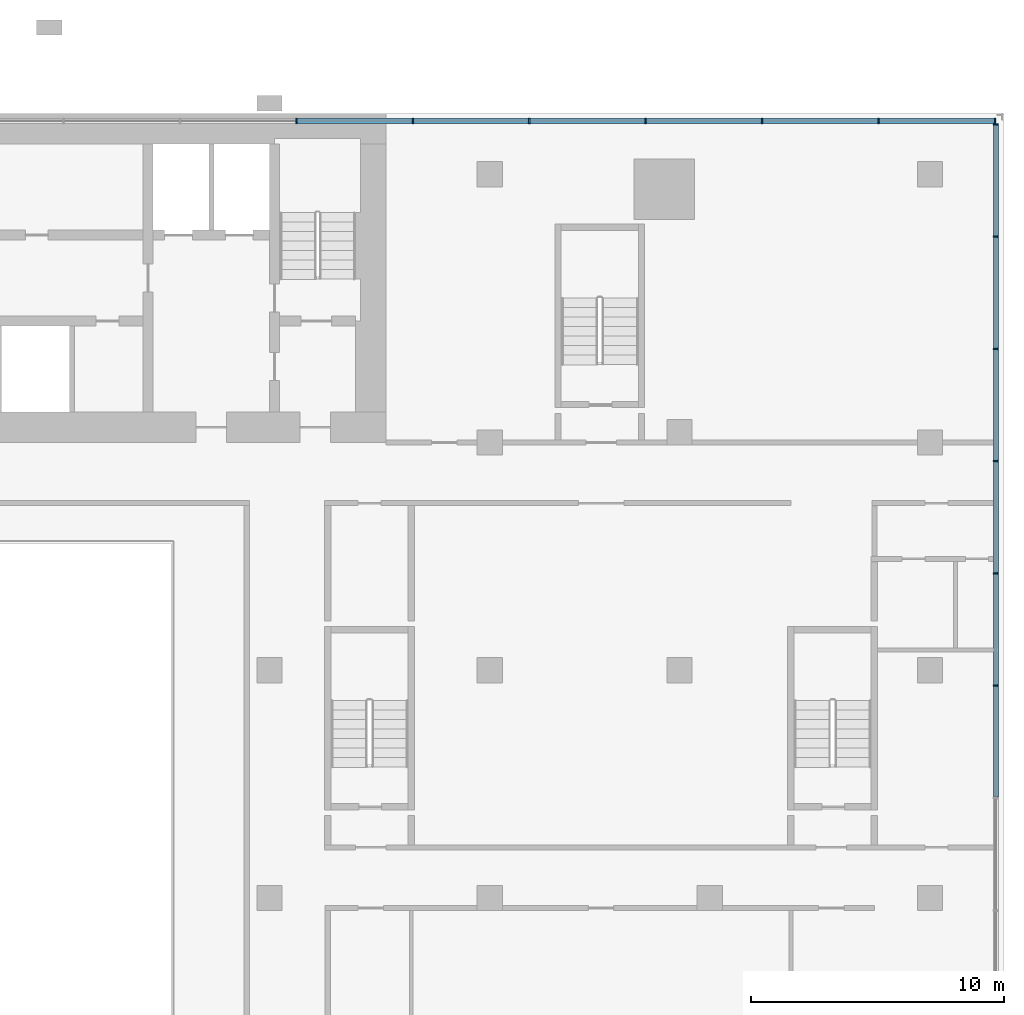
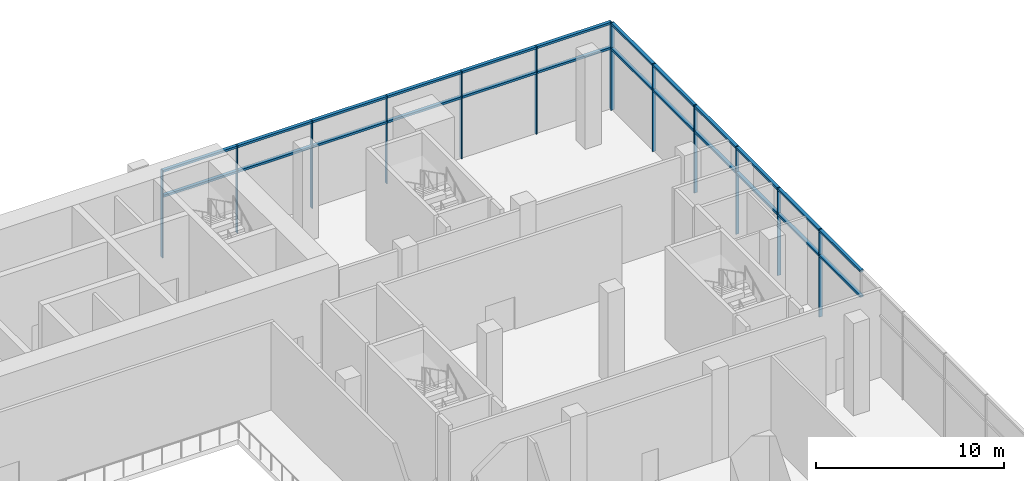
# One storey, part 8 of 22: 37 members, 2 elements without a shape of their own.
"""IFC4 building model written with IfcOpenShell, lengths in metres."""

from ifc_helpers import new_model, si_unit, direction, frame, origin, origin_2d, place, context, subcontext, project, spatial, rectangle, extrude, material, material_profile, profile_set, type_object, element, aggregate, save


model = new_model("IFC4")

# Units and contexts
model_context = context("Model", 3, precision=1e-05, world=origin(), true_north=direction((0.0, 1.0)))
body_context = subcontext(model_context, "Body", "Model", "MODEL_VIEW")
ifc_project = project(units=[si_unit("LENGTHUNIT", "METRE"), si_unit("AREAUNIT", "SQUARE_METRE"), si_unit("VOLUMEUNIT", "CUBIC_METRE"), si_unit("PLANEANGLEUNIT", "RADIAN"), si_unit("MASSUNIT", "GRAM", prefix="KILO")], contexts=[model_context])

# Site, building, storey
site_placement = place(None, origin())
site = spatial("IfcSite", under=ifc_project, at=site_placement, CompositionType="ELEMENT")
building_placement = place(site_placement, origin())
building = spatial("IfcBuilding", under=site, at=building_placement, Name="Bicima Exchange Tower", CompositionType="ELEMENT")
storey_placement = place(building_placement, frame((0.0, 0.0, 14.0)))
storey = spatial("IfcBuildingStorey", under=building, at=storey_placement, Name="L02", CompositionType="ELEMENT", Elevation=14.0)

# Curtain wall, members
ifc_material = material(Name="Anodised bronze aluminium", Category="aluminium")
curtain_wall_type = type_object("IfcCurtainWallType", Name="Lobby glazing", PredefinedType="NOTDEFINED", material=ifc_material)
curtain_wall_1_placement = place(storey_placement, origin())
curtain_wall_1 = element("IfcCurtainWall", 1, at=curtain_wall_1_placement, inside=storey, type_object=curtain_wall_type, Name="Podium glazing L02 east 1", PredefinedType="NOTDEFINED")
ifc_material_profile_1 = material_profile(ifc_material, rectangle(XDim=0.199951171875, YDim=0.06005859375, at=origin_2d()))
ifc_profile_set_1 = profile_set([ifc_material_profile_1], Name="Anodised bronze aluminium")
member_type_1 = type_object("IfcMemberType", Name="Lobby glazing mullion 60 x 200", PredefinedType="MULLION", material=ifc_profile_set_1)
member_1_placement = place(storey_placement, frame((46.10009765625, -22.61328125, 0.0), z_axis=(0.0, 0.0, 1.0), x_axis=(-1.0, 0.0, 0.0)))
member_1 = element("IfcMember", 2, at=member_1_placement, type_object=member_type_1, Name="Lobby glazing mullion 8", PredefinedType="MULLION", context=body_context, shape_type="SweptSolid", body=[
    extrude(rectangle(XDim=0.199951171875, YDim=0.06005859375, at=origin_2d()), origin(), (0.0, 0.0, 1.0), 5.699951171875),
])
member_2_placement = place(storey_placement, frame((46.10009765625, -18.1767578125, 0.0), z_axis=(0.0, 0.0, 1.0), x_axis=(-1.0, 0.0, 0.0)))
member_2 = element("IfcMember", 3, at=member_2_placement, type_object=member_type_1, Name="Lobby glazing mullion 9", PredefinedType="MULLION", context=body_context, shape_type="SweptSolid", body=[
    extrude(rectangle(XDim=0.199951171875, YDim=0.06005859375, at=origin_2d()), origin(), (0.0, 0.0, 1.0), 5.699951171875),
])
member_3_placement = place(storey_placement, frame((46.10009765625, -13.739990234375, 0.0), z_axis=(0.0, 0.0, 1.0), x_axis=(-1.0, 0.0, 0.0)))
member_3 = element("IfcMember", 4, at=member_3_placement, type_object=member_type_1, Name="Lobby glazing mullion 10", PredefinedType="MULLION", context=body_context, shape_type="SweptSolid", body=[
    extrude(rectangle(XDim=0.199951171875, YDim=0.06005859375, at=origin_2d()), origin(), (0.0, 0.0, 1.0), 5.699951171875),
])
member_4_placement = place(storey_placement, frame((46.10009765625, -9.30322265625, 0.0), z_axis=(0.0, 0.0, 1.0), x_axis=(-1.0, 0.0, 0.0)))
member_4 = element("IfcMember", 5, at=member_4_placement, type_object=member_type_1, Name="Lobby glazing mullion 11", PredefinedType="MULLION", context=body_context, shape_type="SweptSolid", body=[
    extrude(rectangle(XDim=0.199951171875, YDim=0.06005859375, at=origin_2d()), origin(), (0.0, 0.0, 1.0), 5.699951171875),
])
member_5_placement = place(storey_placement, frame((46.10009765625, -4.86669921875, 0.0), z_axis=(0.0, 0.0, 1.0), x_axis=(-1.0, 0.0, 0.0)))
member_5 = element("IfcMember", 6, at=member_5_placement, type_object=member_type_1, Name="Lobby glazing mullion 12", PredefinedType="MULLION", context=body_context, shape_type="SweptSolid", body=[
    extrude(rectangle(XDim=0.199951171875, YDim=0.06005859375, at=origin_2d()), origin(), (0.0, 0.0, 1.0), 5.699951171875),
])
member_6_placement = place(storey_placement, frame((46.10009765625, -0.429931640625, 0.0), z_axis=(0.0, 0.0, 1.0), x_axis=(-1.0, 0.0, 0.0)))
member_6 = element("IfcMember", 7, at=member_6_placement, type_object=member_type_1, Name="Lobby glazing mullion 13", PredefinedType="MULLION", context=body_context, shape_type="SweptSolid", body=[
    extrude(rectangle(XDim=0.199951171875, YDim=0.06005859375, at=origin_2d()), origin(), (0.0, 0.0, 1.0), 5.699951171875),
])

curtain_wall_2_placement = place(storey_placement, origin())
curtain_wall_2 = element("IfcCurtainWall", 8, at=curtain_wall_2_placement, inside=storey, type_object=curtain_wall_type, Name="Podium glazing L02 north 1", PredefinedType="NOTDEFINED")
member_7_placement = place(storey_placement, frame((46.070068359375, -0.300048828125, 0.0), z_axis=(0.0, 0.0, 1.0), x_axis=(0.0, -1.0, 0.0)))
member_7 = element("IfcMember", 9, at=member_7_placement, type_object=member_type_1, Name="Lobby glazing mullion 1", PredefinedType="MULLION", context=body_context, shape_type="SweptSolid", body=[
    extrude(rectangle(XDim=0.199951171875, YDim=0.06005859375, at=origin_2d()), origin(), (0.0, 0.0, 1.0), 5.699951171875),
])
member_8_placement = place(storey_placement, frame((41.468017578125, -0.300048828125, 0.0), z_axis=(0.0, 0.0, 1.0), x_axis=(0.0, -1.0, 0.0)))
member_8 = element("IfcMember", 10, at=member_8_placement, type_object=member_type_1, Name="Lobby glazing mullion 2", PredefinedType="MULLION", context=body_context, shape_type="SweptSolid", body=[
    extrude(rectangle(XDim=0.199951171875, YDim=0.06005859375, at=origin_2d()), origin(), (0.0, 0.0, 1.0), 5.699951171875),
])
member_9_placement = place(storey_placement, frame((36.865966796875, -0.300048828125, 0.0), z_axis=(0.0, 0.0, 1.0), x_axis=(0.0, -1.0, 0.0)))
member_9 = element("IfcMember", 11, at=member_9_placement, type_object=member_type_1, Name="Lobby glazing mullion 3", PredefinedType="MULLION", context=body_context, shape_type="SweptSolid", body=[
    extrude(rectangle(XDim=0.199951171875, YDim=0.06005859375, at=origin_2d()), origin(), (0.0, 0.0, 1.0), 5.699951171875),
])
member_10_placement = place(storey_placement, frame((32.263916015625, -0.300048828125, 0.0), z_axis=(0.0, 0.0, 1.0), x_axis=(0.0, -1.0, 0.0)))
member_10 = element("IfcMember", 12, at=member_10_placement, type_object=member_type_1, Name="Lobby glazing mullion 4", PredefinedType="MULLION", context=body_context, shape_type="SweptSolid", body=[
    extrude(rectangle(XDim=0.199951171875, YDim=0.06005859375, at=origin_2d()), origin(), (0.0, 0.0, 1.0), 5.699951171875),
])
member_11_placement = place(storey_placement, frame((27.662109375, -0.300048828125, 0.0), z_axis=(0.0, 0.0, 1.0), x_axis=(0.0, -1.0, 0.0)))
member_11 = element("IfcMember", 13, at=member_11_placement, type_object=member_type_1, Name="Lobby glazing mullion 5", PredefinedType="MULLION", context=body_context, shape_type="SweptSolid", body=[
    extrude(rectangle(XDim=0.199951171875, YDim=0.06005859375, at=origin_2d()), origin(), (0.0, 0.0, 1.0), 5.699951171875),
])
member_12_placement = place(storey_placement, frame((23.06005859375, -0.300048828125, 0.0), z_axis=(0.0, 0.0, 1.0), x_axis=(0.0, -1.0, 0.0)))
member_12 = element("IfcMember", 14, at=member_12_placement, type_object=member_type_1, Name="Lobby glazing mullion 6", PredefinedType="MULLION", context=body_context, shape_type="SweptSolid", body=[
    extrude(rectangle(XDim=0.199951171875, YDim=0.06005859375, at=origin_2d()), origin(), (0.0, 0.0, 1.0), 5.699951171875),
])
member_13_placement = place(storey_placement, frame((18.4580078125, -0.300048828125, 0.0), z_axis=(0.0, 0.0, 1.0), x_axis=(0.0, -1.0, 0.0)))
member_13 = element("IfcMember", 15, at=member_13_placement, type_object=member_type_1, Name="Lobby glazing mullion 7", PredefinedType="MULLION", context=body_context, shape_type="SweptSolid", body=[
    extrude(rectangle(XDim=0.199951171875, YDim=0.06005859375, at=origin_2d()), origin(), (0.0, 0.0, 1.0), 5.699951171875),
])

# Member
ifc_material_profile_2 = material_profile(ifc_material, rectangle(XDim=0.199951171875, YDim=0.139892578125, at=origin_2d()))
ifc_profile_set_2 = profile_set([ifc_material_profile_2], Name="Anodised bronze aluminium")
member_type_2 = type_object("IfcMemberType", Name="Lobby glazing transom 140 x 200", PredefinedType="USERDEFINED", material=ifc_profile_set_2)
member_14_placement = place(storey_placement, frame((46.10009765625, -27.02001953125, 4.0), z_axis=(0.0, 1.0, 0.0), x_axis=(-1.0, 0.0, 0.0)))
member_14 = element("IfcMember", 16, at=member_14_placement, type_object=member_type_2, Name="Lobby glazing transom 7.1", ObjectType="TRANSOM", PredefinedType="USERDEFINED", context=body_context, shape_type="SweptSolid", body=[
    extrude(rectangle(XDim=0.199951171875, YDim=0.139892578125, at=origin_2d()), origin(), (0.0, 0.0, 1.0), 4.376708984375),
])

member_15_placement = place(storey_placement, frame((46.10009765625, -27.02001953125, 5.6298828125), z_axis=(0.0, 1.0, 0.0), x_axis=(-1.0, 0.0, 0.0)))
member_15 = element("IfcMember", 17, at=member_15_placement, type_object=member_type_2, Name="Lobby glazing transom 7.2", ObjectType="TRANSOM", PredefinedType="USERDEFINED", context=body_context, shape_type="SweptSolid", body=[
    extrude(rectangle(XDim=0.199951171875, YDim=0.139892578125, at=origin_2d()), origin(), (0.0, 0.0, 1.0), 4.376708984375),
])

member_16_placement = place(storey_placement, frame((46.10009765625, -22.583251953125, 4.0), z_axis=(0.0, 1.0, 0.0), x_axis=(-1.0, 0.0, 0.0)))
member_16 = element("IfcMember", 18, at=member_16_placement, type_object=member_type_2, Name="Lobby glazing transom 8.1", ObjectType="TRANSOM", PredefinedType="USERDEFINED", context=body_context, shape_type="SweptSolid", body=[
    extrude(rectangle(XDim=0.199951171875, YDim=0.139892578125, at=origin_2d()), origin(), (0.0, 0.0, 1.0), 4.37646484375),
])

member_17_placement = place(storey_placement, frame((46.10009765625, -22.583251953125, 5.6298828125), z_axis=(0.0, 1.0, 0.0), x_axis=(-1.0, 0.0, 0.0)))
member_17 = element("IfcMember", 19, at=member_17_placement, type_object=member_type_2, Name="Lobby glazing transom 8.2", ObjectType="TRANSOM", PredefinedType="USERDEFINED", context=body_context, shape_type="SweptSolid", body=[
    extrude(rectangle(XDim=0.199951171875, YDim=0.139892578125, at=origin_2d()), origin(), (0.0, 0.0, 1.0), 4.37646484375),
])

member_18_placement = place(storey_placement, frame((46.10009765625, -18.146728515625, 4.0), z_axis=(0.0, 1.0, 0.0), x_axis=(-1.0, 0.0, 0.0)))
member_18 = element("IfcMember", 20, at=member_18_placement, type_object=member_type_2, Name="Lobby glazing transom 9.1", ObjectType="TRANSOM", PredefinedType="USERDEFINED", context=body_context, shape_type="SweptSolid", body=[
    extrude(rectangle(XDim=0.199951171875, YDim=0.139892578125, at=origin_2d()), origin(), (0.0, 0.0, 1.0), 4.376708984375),
])

member_19_placement = place(storey_placement, frame((46.10009765625, -18.146728515625, 5.6298828125), z_axis=(0.0, 1.0, 0.0), x_axis=(-1.0, 0.0, 0.0)))
member_19 = element("IfcMember", 21, at=member_19_placement, type_object=member_type_2, Name="Lobby glazing transom 9.2", ObjectType="TRANSOM", PredefinedType="USERDEFINED", context=body_context, shape_type="SweptSolid", body=[
    extrude(rectangle(XDim=0.199951171875, YDim=0.139892578125, at=origin_2d()), origin(), (0.0, 0.0, 1.0), 4.376708984375),
])

member_20_placement = place(storey_placement, frame((46.10009765625, -13.7099609375, 4.0), z_axis=(0.0, 1.0, 0.0), x_axis=(-1.0, 0.0, 0.0)))
member_20 = element("IfcMember", 22, at=member_20_placement, type_object=member_type_2, Name="Lobby glazing transom 10.1", ObjectType="TRANSOM", PredefinedType="USERDEFINED", context=body_context, shape_type="SweptSolid", body=[
    extrude(rectangle(XDim=0.199951171875, YDim=0.139892578125, at=origin_2d()), origin(), (0.0, 0.0, 1.0), 4.376708984375),
])

member_21_placement = place(storey_placement, frame((46.10009765625, -13.7099609375, 5.6298828125), z_axis=(0.0, 1.0, 0.0), x_axis=(-1.0, 0.0, 0.0)))
member_21 = element("IfcMember", 23, at=member_21_placement, type_object=member_type_2, Name="Lobby glazing transom 10.2", ObjectType="TRANSOM", PredefinedType="USERDEFINED", context=body_context, shape_type="SweptSolid", body=[
    extrude(rectangle(XDim=0.199951171875, YDim=0.139892578125, at=origin_2d()), origin(), (0.0, 0.0, 1.0), 4.376708984375),
])

member_22_placement = place(storey_placement, frame((46.10009765625, -9.273193359375, 4.0), z_axis=(0.0, 1.0, 0.0), x_axis=(-1.0, 0.0, 0.0)))
member_22 = element("IfcMember", 24, at=member_22_placement, type_object=member_type_2, Name="Lobby glazing transom 11.1", ObjectType="TRANSOM", PredefinedType="USERDEFINED", context=body_context, shape_type="SweptSolid", body=[
    extrude(rectangle(XDim=0.199951171875, YDim=0.139892578125, at=origin_2d()), origin(), (0.0, 0.0, 1.0), 4.37646484375),
])

member_23_placement = place(storey_placement, frame((46.10009765625, -9.273193359375, 5.6298828125), z_axis=(0.0, 1.0, 0.0), x_axis=(-1.0, 0.0, 0.0)))
member_23 = element("IfcMember", 25, at=member_23_placement, type_object=member_type_2, Name="Lobby glazing transom 11.2", ObjectType="TRANSOM", PredefinedType="USERDEFINED", context=body_context, shape_type="SweptSolid", body=[
    extrude(rectangle(XDim=0.199951171875, YDim=0.139892578125, at=origin_2d()), origin(), (0.0, 0.0, 1.0), 4.37646484375),
])

member_24_placement = place(storey_placement, frame((46.10009765625, -4.836669921875, 4.0), z_axis=(0.0, 1.0, 0.0), x_axis=(-1.0, 0.0, 0.0)))
member_24 = element("IfcMember", 26, at=member_24_placement, type_object=member_type_2, Name="Lobby glazing transom 12.1", ObjectType="TRANSOM", PredefinedType="USERDEFINED", context=body_context, shape_type="SweptSolid", body=[
    extrude(rectangle(XDim=0.199951171875, YDim=0.139892578125, at=origin_2d()), origin(), (0.0, 0.0, 1.0), 4.376708984375),
])

member_25_placement = place(storey_placement, frame((46.10009765625, -4.836669921875, 5.6298828125), z_axis=(0.0, 1.0, 0.0), x_axis=(-1.0, 0.0, 0.0)))
member_25 = element("IfcMember", 27, at=member_25_placement, type_object=member_type_2, Name="Lobby glazing transom 12.2", ObjectType="TRANSOM", PredefinedType="USERDEFINED", context=body_context, shape_type="SweptSolid", body=[
    extrude(rectangle(XDim=0.199951171875, YDim=0.139892578125, at=origin_2d()), origin(), (0.0, 0.0, 1.0), 4.376708984375),
])

aggregate(curtain_wall_1, [member_1, member_2, member_3, member_4, member_5, member_6, member_14, member_15, member_16, member_17, member_18, member_19, member_20, member_21, member_22, member_23, member_24, member_25])

member_26_placement = place(storey_placement, frame((46.0400390625, -0.300048828125, 4.0), z_axis=(-1.0, 0.0, 0.0), x_axis=(0.0, -1.0, 0.0)))
member_26 = element("IfcMember", 28, at=member_26_placement, type_object=member_type_2, Name="Lobby glazing transom 1.1", ObjectType="TRANSOM", PredefinedType="USERDEFINED", context=body_context, shape_type="SweptSolid", body=[
    extrude(rectangle(XDim=0.199951171875, YDim=0.139892578125, at=origin_2d()), origin(), (0.0, 0.0, 1.0), 4.5419921875),
])

member_27_placement = place(storey_placement, frame((46.0400390625, -0.300048828125, 5.6298828125), z_axis=(-1.0, 0.0, 0.0), x_axis=(0.0, -1.0, 0.0)))
member_27 = element("IfcMember", 29, at=member_27_placement, type_object=member_type_2, Name="Lobby glazing transom 1.2", ObjectType="TRANSOM", PredefinedType="USERDEFINED", context=body_context, shape_type="SweptSolid", body=[
    extrude(rectangle(XDim=0.199951171875, YDim=0.139892578125, at=origin_2d()), origin(), (0.0, 0.0, 1.0), 4.5419921875),
])

member_28_placement = place(storey_placement, frame((41.43798828125, -0.300048828125, 4.0), z_axis=(-1.0, 0.0, 0.0), x_axis=(0.0, -1.0, 0.0)))
member_28 = element("IfcMember", 30, at=member_28_placement, type_object=member_type_2, Name="Lobby glazing transom 2.1", ObjectType="TRANSOM", PredefinedType="USERDEFINED", context=body_context, shape_type="SweptSolid", body=[
    extrude(rectangle(XDim=0.199951171875, YDim=0.139892578125, at=origin_2d()), origin(), (0.0, 0.0, 1.0), 4.5419921875),
])

member_29_placement = place(storey_placement, frame((41.43798828125, -0.300048828125, 5.6298828125), z_axis=(-1.0, 0.0, 0.0), x_axis=(0.0, -1.0, 0.0)))
member_29 = element("IfcMember", 31, at=member_29_placement, type_object=member_type_2, Name="Lobby glazing transom 2.2", ObjectType="TRANSOM", PredefinedType="USERDEFINED", context=body_context, shape_type="SweptSolid", body=[
    extrude(rectangle(XDim=0.199951171875, YDim=0.139892578125, at=origin_2d()), origin(), (0.0, 0.0, 1.0), 4.5419921875),
])

member_30_placement = place(storey_placement, frame((36.8359375, -0.300048828125, 4.0), z_axis=(-1.0, 0.0, 0.0), x_axis=(0.0, -1.0, 0.0)))
member_30 = element("IfcMember", 32, at=member_30_placement, type_object=member_type_2, Name="Lobby glazing transom 3.1", ObjectType="TRANSOM", PredefinedType="USERDEFINED", context=body_context, shape_type="SweptSolid", body=[
    extrude(rectangle(XDim=0.199951171875, YDim=0.139892578125, at=origin_2d()), origin(), (0.0, 0.0, 1.0), 4.5419921875),
])

member_31_placement = place(storey_placement, frame((36.8359375, -0.300048828125, 5.6298828125), z_axis=(-1.0, 0.0, 0.0), x_axis=(0.0, -1.0, 0.0)))
member_31 = element("IfcMember", 33, at=member_31_placement, type_object=member_type_2, Name="Lobby glazing transom 3.2", ObjectType="TRANSOM", PredefinedType="USERDEFINED", context=body_context, shape_type="SweptSolid", body=[
    extrude(rectangle(XDim=0.199951171875, YDim=0.139892578125, at=origin_2d()), origin(), (0.0, 0.0, 1.0), 4.5419921875),
])

member_32_placement = place(storey_placement, frame((32.23388671875, -0.300048828125, 4.0), z_axis=(-1.0, 0.0, 0.0), x_axis=(0.0, -1.0, 0.0)))
member_32 = element("IfcMember", 34, at=member_32_placement, type_object=member_type_2, Name="Lobby glazing transom 4.1", ObjectType="TRANSOM", PredefinedType="USERDEFINED", context=body_context, shape_type="SweptSolid", body=[
    extrude(rectangle(XDim=0.199951171875, YDim=0.139892578125, at=origin_2d()), origin(), (0.0, 0.0, 1.0), 4.5419921875),
])

member_33_placement = place(storey_placement, frame((32.23388671875, -0.300048828125, 5.6298828125), z_axis=(-1.0, 0.0, 0.0), x_axis=(0.0, -1.0, 0.0)))
member_33 = element("IfcMember", 35, at=member_33_placement, type_object=member_type_2, Name="Lobby glazing transom 4.2", ObjectType="TRANSOM", PredefinedType="USERDEFINED", context=body_context, shape_type="SweptSolid", body=[
    extrude(rectangle(XDim=0.199951171875, YDim=0.139892578125, at=origin_2d()), origin(), (0.0, 0.0, 1.0), 4.5419921875),
])

member_34_placement = place(storey_placement, frame((27.632080078125, -0.300048828125, 4.0), z_axis=(-1.0, 0.0, 0.0), x_axis=(0.0, -1.0, 0.0)))
member_34 = element("IfcMember", 36, at=member_34_placement, type_object=member_type_2, Name="Lobby glazing transom 5.1", ObjectType="TRANSOM", PredefinedType="USERDEFINED", context=body_context, shape_type="SweptSolid", body=[
    extrude(rectangle(XDim=0.199951171875, YDim=0.139892578125, at=origin_2d()), origin(), (0.0, 0.0, 1.0), 4.5419921875),
])

member_35_placement = place(storey_placement, frame((27.632080078125, -0.300048828125, 5.6298828125), z_axis=(-1.0, 0.0, 0.0), x_axis=(0.0, -1.0, 0.0)))
member_35 = element("IfcMember", 37, at=member_35_placement, type_object=member_type_2, Name="Lobby glazing transom 5.2", ObjectType="TRANSOM", PredefinedType="USERDEFINED", context=body_context, shape_type="SweptSolid", body=[
    extrude(rectangle(XDim=0.199951171875, YDim=0.139892578125, at=origin_2d()), origin(), (0.0, 0.0, 1.0), 4.5419921875),
])

member_36_placement = place(storey_placement, frame((23.030029296875, -0.300048828125, 4.0), z_axis=(-1.0, 0.0, 0.0), x_axis=(0.0, -1.0, 0.0)))
member_36 = element("IfcMember", 38, at=member_36_placement, type_object=member_type_2, Name="Lobby glazing transom 6.1", ObjectType="TRANSOM", PredefinedType="USERDEFINED", context=body_context, shape_type="SweptSolid", body=[
    extrude(rectangle(XDim=0.199951171875, YDim=0.139892578125, at=origin_2d()), origin(), (0.0, 0.0, 1.0), 4.5419921875),
])

member_37_placement = place(storey_placement, frame((23.030029296875, -0.300048828125, 5.6298828125), z_axis=(-1.0, 0.0, 0.0), x_axis=(0.0, -1.0, 0.0)))
member_37 = element("IfcMember", 39, at=member_37_placement, type_object=member_type_2, Name="Lobby glazing transom 6.2", ObjectType="TRANSOM", PredefinedType="USERDEFINED", context=body_context, shape_type="SweptSolid", body=[
    extrude(rectangle(XDim=0.199951171875, YDim=0.139892578125, at=origin_2d()), origin(), (0.0, 0.0, 1.0), 4.5419921875),
])

aggregate(curtain_wall_2, [member_7, member_8, member_9, member_10, member_11, member_12, member_13, member_26, member_27, member_28, member_29, member_30, member_31, member_32, member_33, member_34, member_35, member_36, member_37])

save(model, "model.ifc")
